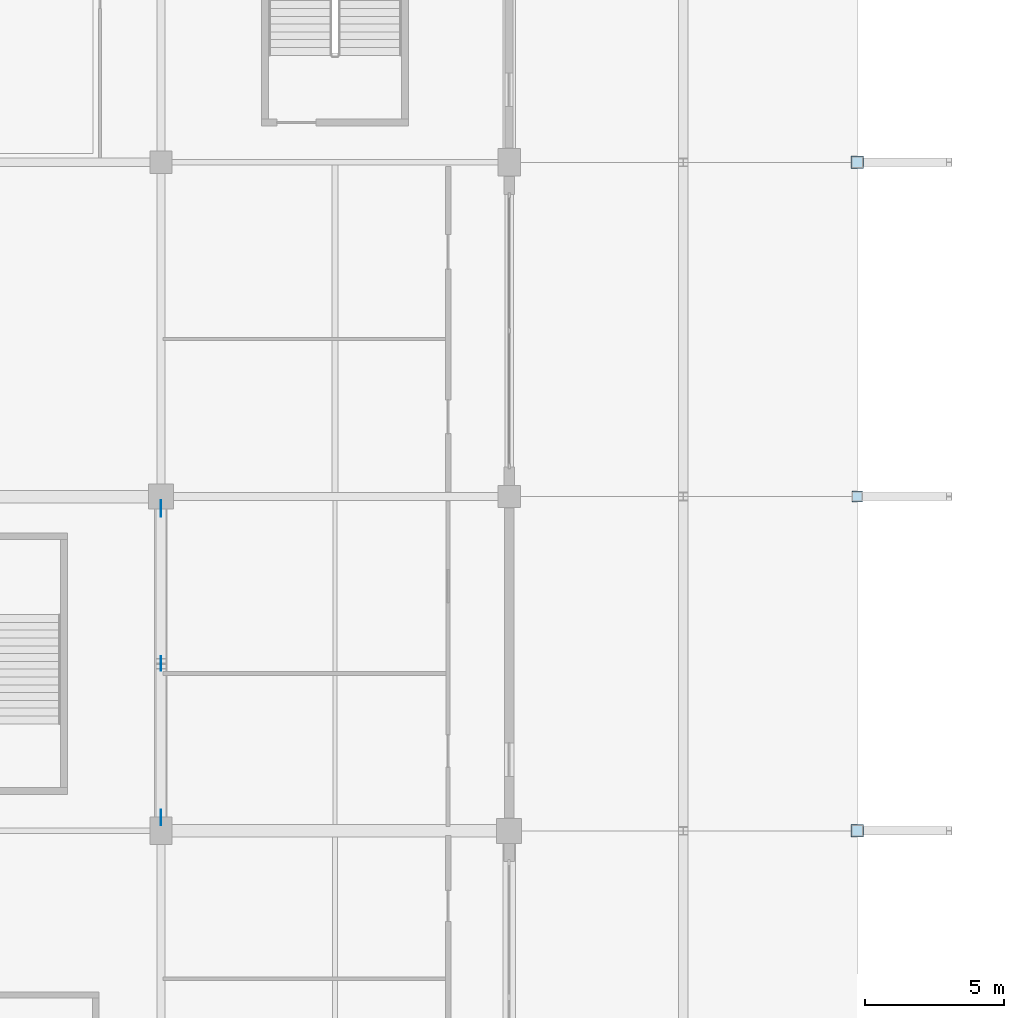
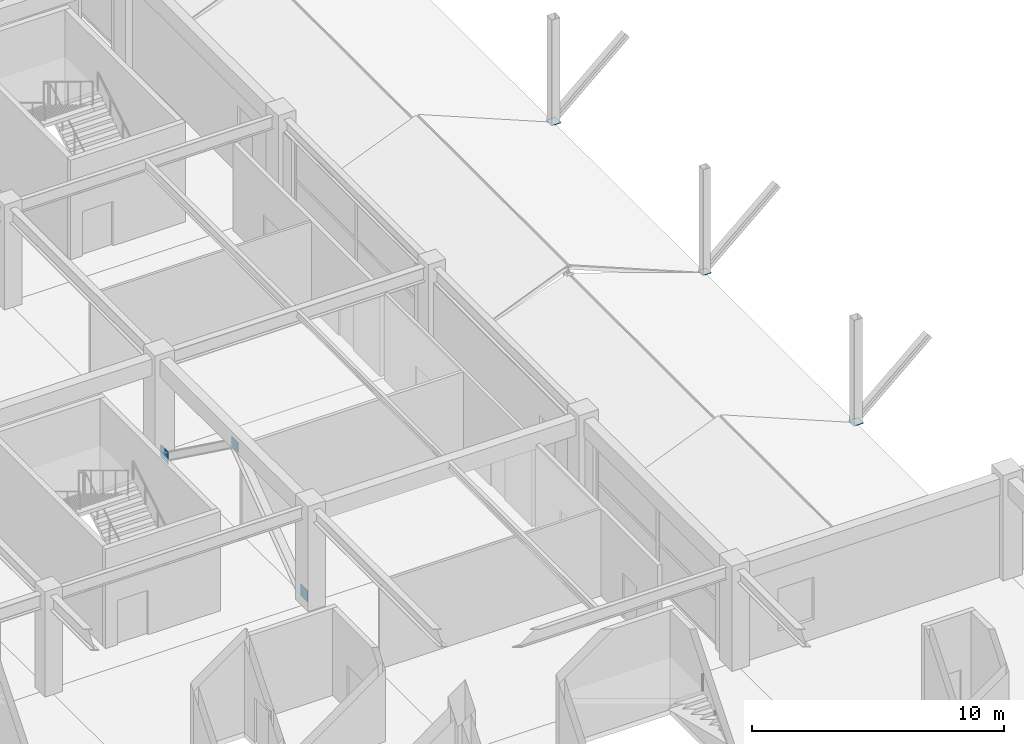
# One storey, part 62 of 116: 6 plates.
"""IFC4 building model written with IfcOpenShell, lengths in metres."""

from ifc_helpers import new_model, si_unit, direction, frame, origin, origin_2d, place, context, subcontext, project, spatial, rectangle, extrude, material, layer, layer_set, type_object, element, save


model = new_model("IFC4")

# Units and contexts
model_context = context("Model", 3, precision=1e-05, world=origin(), true_north=direction((0.0, 1.0)))
body_context = subcontext(model_context, "Body", "Model", "MODEL_VIEW")
ifc_project = project(units=[si_unit("LENGTHUNIT", "METRE"), si_unit("AREAUNIT", "SQUARE_METRE"), si_unit("VOLUMEUNIT", "CUBIC_METRE"), si_unit("PLANEANGLEUNIT", "RADIAN"), si_unit("MASSUNIT", "GRAM", prefix="KILO")], contexts=[model_context])

# Site, building, storey
site_placement = place(None, origin())
site = spatial("IfcSite", under=ifc_project, at=site_placement, CompositionType="ELEMENT")
building_placement = place(site_placement, origin())
building = spatial("IfcBuilding", under=site, at=building_placement, Name="Kazenohara Klinker Stadium", CompositionType="ELEMENT")
storey_placement = place(building_placement, frame((0.0, 0.0, 10.199951171875)))
storey = spatial("IfcBuildingStorey", under=building, at=storey_placement, Name="L02", CompositionType="ELEMENT", Elevation=10.199951171875)

# Plates
ifc_material = material(Name="Steel S355", Category="steel")
ifc_layer_1 = layer(ifc_material, 0.02001953125)
ifc_layer_set_1 = layer_set([ifc_layer_1], Name="Steel S355")
plate_type_1 = type_object("IfcPlateType", Name="PLT-GP01", PredefinedType="USERDEFINED", material=ifc_layer_set_1)
plate_1_placement = place(storey_placement, frame((49.0, 72.0, -0.010009765625), z_axis=(0.0, 0.0, 1.0), x_axis=(1.0, 0.0, 0.0)))
element("IfcPlate", 1, at=plate_1_placement, inside=storey, type_object=plate_type_1, Name="Hollow column end-cap plate GP01 L02 5/G", ObjectType="GUSSET PLATE", PredefinedType="USERDEFINED", context=body_context, shape_type="SweptSolid", body=[
    extrude(rectangle(XDim=0.43994140625, YDim=0.43994140625, at=origin_2d()), origin(), (0.0, 0.0, 1.0), 0.02001953125),
])
ifc_layer_2 = layer(ifc_material, 0.02392578125)
ifc_layer_set_2 = layer_set([ifc_layer_2], Name="Steel S355")
plate_type_2 = type_object("IfcPlateType", Name="PLT-GP03", PredefinedType="USERDEFINED", material=ifc_layer_set_2)
plate_2_placement = place(storey_placement, frame((24.0, 54.0, 3.760009765625), z_axis=(0.0, 0.0, 1.0), x_axis=(1.0, 0.0, 0.0)))
element("IfcPlate", 2, at=plate_2_placement, inside=storey, type_object=plate_type_2, Name="Chevron brace gusset plate GP03 L02 3/E TOP", ObjectType="GUSSET PLATE", PredefinedType="USERDEFINED", context=body_context, shape_type="SweptSolid", body=[
    extrude(rectangle(XDim=0.02392578125, YDim=0.52001953125, at=origin_2d()), origin(), (0.0, 0.0, 1.0), 0.52001953125),
])
plate_3_placement = place(storey_placement, frame((49.0, 48.0, -0.011962890625), z_axis=(0.0, 0.0, 1.0), x_axis=(1.0, 0.0, 0.0)))
element("IfcPlate", 3, at=plate_3_placement, inside=storey, type_object=plate_type_2, Name="Hollow column end-cap plate GP03 L02 5/E", ObjectType="GUSSET PLATE", PredefinedType="USERDEFINED", context=body_context, shape_type="SweptSolid", body=[
    extrude(rectangle(XDim=0.43994140625, YDim=0.43994140625, at=origin_2d()), origin(), (0.0, 0.0, 1.0), 0.02392578125),
])
ifc_layer_3 = layer(ifc_material, 0.02490234375)
ifc_layer_set_3 = layer_set([ifc_layer_3], Name="Steel S355")
plate_type_3 = type_object("IfcPlateType", Name="PLT-GP04", PredefinedType="USERDEFINED", material=ifc_layer_set_3)
plate_4_placement = place(storey_placement, frame((24.0, 48.47998046875, -0.10986328125), z_axis=(0.0, 0.0, 1.0), x_axis=(1.0, 0.0, 0.0)))
element("IfcPlate", 4, at=plate_4_placement, inside=storey, type_object=plate_type_3, Name="Chevron brace gusset plate GP04 L02 3/E BOT-A", ObjectType="GUSSET PLATE", PredefinedType="USERDEFINED", context=body_context, shape_type="SweptSolid", body=[
    extrude(rectangle(XDim=0.02490234375, YDim=0.56005859375, at=origin_2d()), origin(), (0.0, 0.0, 1.0), 0.56005859375),
])
plate_5_placement = place(storey_placement, frame((49.0, 60.0, -0.012451171875), z_axis=(0.0, 0.0, 1.0), x_axis=(1.0, 0.0, 0.0)))
element("IfcPlate", 5, at=plate_5_placement, inside=storey, type_object=plate_type_3, Name="Hollow column end-cap plate GP04 L02 5/F", ObjectType="GUSSET PLATE", PredefinedType="USERDEFINED", context=body_context, shape_type="SweptSolid", body=[
    extrude(rectangle(XDim=0.389892578125, YDim=0.389892578125, at=origin_2d()), origin(), (0.0, 0.0, 1.0), 0.02490234375),
])
ifc_layer_4 = layer(ifc_material, 0.02587890625)
ifc_layer_set_4 = layer_set([ifc_layer_4], Name="Steel S355")
plate_type_4 = type_object("IfcPlateType", Name="PLT-GP05", PredefinedType="USERDEFINED", material=ifc_layer_set_4)
plate_6_placement = place(storey_placement, frame((24.0, 59.570068359375, -0.1298828125), z_axis=(0.0, 0.0, 1.0), x_axis=(1.0, 0.0, 0.0)))
element("IfcPlate", 6, at=plate_6_placement, inside=storey, type_object=plate_type_4, Name="Chevron brace gusset plate GP05 L02 3/E BOT-B", ObjectType="GUSSET PLATE", PredefinedType="USERDEFINED", context=body_context, shape_type="SweptSolid", body=[
    extrude(rectangle(XDim=0.02587890625, YDim=0.60009765625, at=origin_2d()), origin(), (0.0, 0.0, 1.0), 0.60009765625),
])

save(model, "model.ifc")
